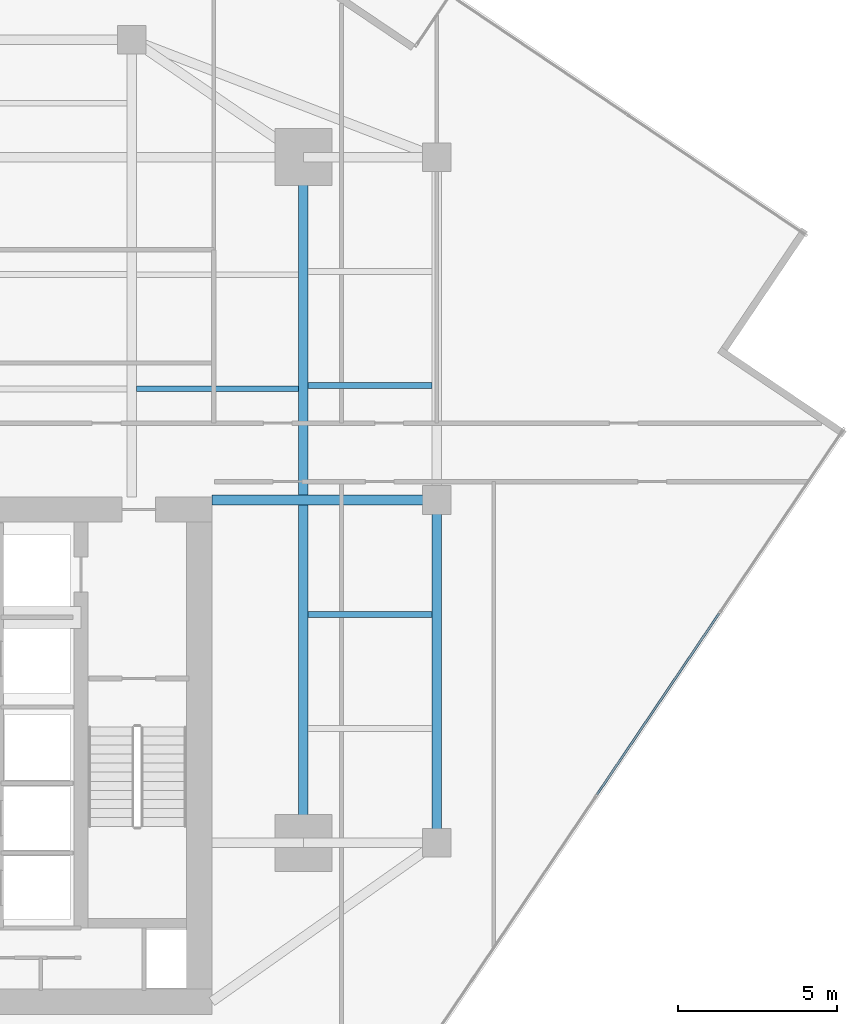
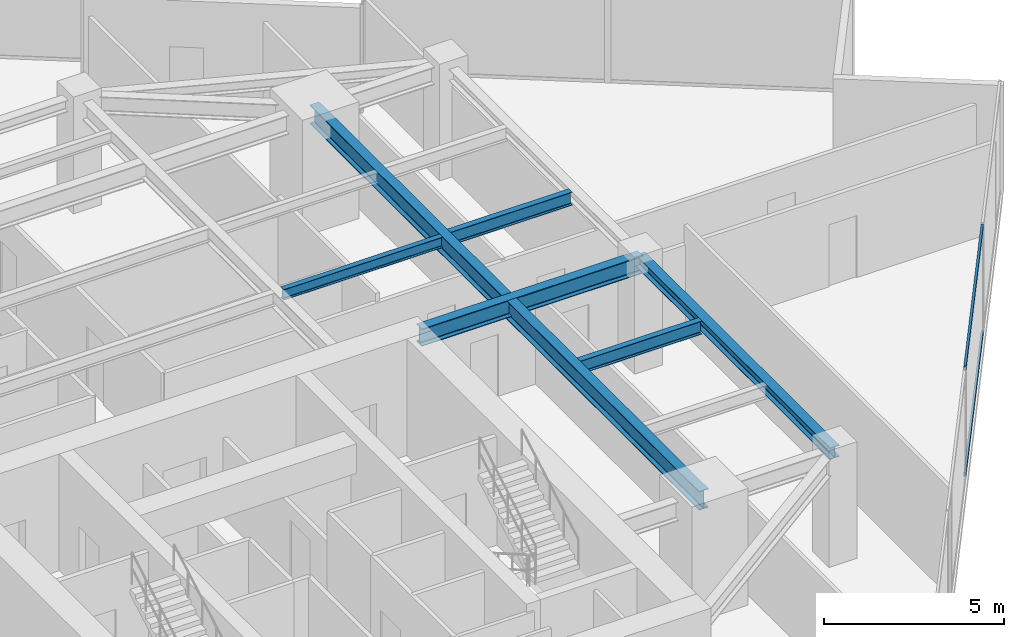
# One storey, part 11 of 27: 6 beams, 2 members, 1 element without a shape of its own.
"""IFC4 building model written with IfcOpenShell, lengths in metres."""

from ifc_helpers import new_model, si_unit, direction, frame, origin, origin_2d, place, context, subcontext, project, spatial, hollow_rectangle, i_section, extrude, source, transform, mapped, material, material_profile, profile_set, type_object, type_shapes, element, aggregate, save


model = new_model("IFC4")

# Units and contexts
model_context = context("Model", 3, precision=1e-05, world=origin(), true_north=direction((0.0, 1.0)))
body_context = subcontext(model_context, "Body", "Model", "MODEL_VIEW")
ifc_project = project(units=[si_unit("LENGTHUNIT", "METRE"), si_unit("AREAUNIT", "SQUARE_METRE"), si_unit("VOLUMEUNIT", "CUBIC_METRE"), si_unit("PLANEANGLEUNIT", "RADIAN"), si_unit("MASSUNIT", "GRAM", prefix="KILO")], contexts=[model_context])

# Site, building, storey
site_placement = place(None, origin())
site = spatial("IfcSite", under=ifc_project, at=site_placement, CompositionType="ELEMENT")
building_placement = place(site_placement, origin())
building = spatial("IfcBuilding", under=site, at=building_placement, Name="Krantzveldt Concourse Tower", CompositionType="ELEMENT")
storey_placement = place(building_placement, frame((0.0, 0.0, 189.64990234375)))
storey = spatial("IfcBuildingStorey", under=building, at=storey_placement, Name="L46", CompositionType="ELEMENT", Elevation=189.64990234375)

# Beams
ifc_material_1 = material(Name="Steel S355JR", Category="steel")
ifc_material_profile_1 = material_profile(ifc_material_1, i_section(OverallWidth=0.300048828125, OverallDepth=0.639892578125, WebThickness=0.013427734375, FlangeThickness=0.02587890625, FilletRadius=0.027099609375, at=origin_2d()), Name="Steel S355JR", Category="steel")
ifc_profile_set_1 = profile_set([ifc_material_profile_1], Name="Steel S355JR - HEA 650")
beam_type_1 = type_object("IfcBeamType", Name="BM-B-HEA650", PredefinedType="BEAM", material=ifc_profile_set_1)
shared_shape_1 = source(origin(), body_context, "Body", "SweptSolid", [
    extrude(i_section(OverallWidth=0.300048828125, OverallDepth=0.639892578125, WebThickness=0.013427734375, FlangeThickness=0.02587890625, FilletRadius=0.027099609375, at=origin_2d()), origin(), (0.0, 0.0, 1.0), 21.60009765625),
])
type_shapes(beam_type_1, [shared_shape_1])
beam_1_placement = place(storey_placement, frame((46.800048828125, 15.89990234375, 3.35009765625), z_axis=(0.0, 1.0, 0.0), x_axis=(-1.0, 0.0, 0.0)))
element("IfcBeam", 1, at=beam_1_placement, inside=storey, type_object=beam_type_1, Name="L46 Tower Girder BG-ME", PredefinedType="BEAM", context=body_context, shape_type="MappedRepresentation", body=[
    mapped(shared_shape_1, transform((0.0, 0.0, 0.0), x_axis=(1.0, 0.0, 0.0), y_axis=(0.0, 1.0, 0.0), z_axis=(0.0, 0.0, 1.0), scale=1.0)),
])
ifc_material_profile_2 = material_profile(ifc_material_1, i_section(OverallWidth=0.300048828125, OverallDepth=0.590087890625, WebThickness=0.012939453125, FlangeThickness=0.02490234375, FilletRadius=0.027099609375, at=origin_2d()), Name="Steel S355JR", Category="steel")
ifc_profile_set_2 = profile_set([ifc_material_profile_2], Name="Steel S355JR - HEA 600")
beam_type_2 = type_object("IfcBeamType", Name="BM-B-HEA600", PredefinedType="BEAM", material=ifc_profile_set_2)
shared_shape_2 = source(origin(), body_context, "Body", "SweptSolid", [
    extrude(i_section(OverallWidth=0.300048828125, OverallDepth=0.590087890625, WebThickness=0.012939453125, FlangeThickness=0.02490234375, FilletRadius=0.027099609375, at=origin_2d()), origin(), (0.0, 0.0, 1.0), 7.080078125),
])
type_shapes(beam_type_2, [shared_shape_2])
beam_2_placement = place(storey_placement, frame((43.919921875, 26.699951171875, 3.375), z_axis=(1.0, 0.0, 0.0), x_axis=(0.0, 1.0, 0.0)))
element("IfcBeam", 2, at=beam_2_placement, inside=storey, type_object=beam_type_2, Name="L46 Tower Girder BG-CE2", PredefinedType="BEAM", context=body_context, shape_type="MappedRepresentation", body=[
    mapped(shared_shape_2, transform((0.0, 0.0, 0.0), x_axis=(1.0, 0.0, 0.0), y_axis=(0.0, 1.0, 0.0), z_axis=(0.0, 0.0, 1.0), scale=1.0)),
])
ifc_material_profile_3 = material_profile(ifc_material_1, i_section(OverallWidth=0.300048828125, OverallDepth=0.389892578125, WebThickness=0.010986328125, FlangeThickness=0.01904296875, FilletRadius=0.027099609375, at=origin_2d()), Name="Steel S355JR", Category="steel")
ifc_profile_set_3 = profile_set([ifc_material_profile_3], Name="Steel S355JR - HEA 400")
beam_type_3 = type_object("IfcBeamType", Name="BM-SP-HEA400", PredefinedType="SPANDREL", material=ifc_profile_set_3)
shared_shape_3 = source(origin(), body_context, "Body", "SweptSolid", [
    extrude(i_section(OverallWidth=0.300048828125, OverallDepth=0.389892578125, WebThickness=0.010986328125, FlangeThickness=0.01904296875, FilletRadius=0.027099609375, at=origin_2d()), origin(), (0.0, 0.0, 1.0), 10.800048828125),
])
type_shapes(beam_type_3, [shared_shape_3])
beam_3_placement = place(storey_placement, frame((51.0, 26.699951171875, 3.47509765625), z_axis=(0.0, -1.0, 0.0), x_axis=(1.0, 0.0, 0.0)))
element("IfcBeam", 3, at=beam_3_placement, inside=storey, type_object=beam_type_3, Name="L46 Tower Girder SP-R07", PredefinedType="SPANDREL", context=body_context, shape_type="MappedRepresentation", body=[
    mapped(shared_shape_3, transform((0.0, 0.0, 0.0), x_axis=(1.0, 0.0, 0.0), y_axis=(0.0, 1.0, 0.0), z_axis=(0.0, 0.0, 1.0), scale=1.0)),
])
ifc_material_profile_4 = material_profile(ifc_material_1, i_section(OverallWidth=0.169921875, OverallDepth=0.360107421875, WebThickness=0.008056640625, FlangeThickness=0.0126953125, FilletRadius=0.01806640625, at=origin_2d()), Name="Steel S355JR", Category="steel")
ifc_profile_set_4 = profile_set([ifc_material_profile_4], Name="Steel S355JR - IPE 360")
beam_type_4 = type_object("IfcBeamType", Name="BM-J-IPE360", PredefinedType="JOIST", material=ifc_profile_set_4)
shared_shape_4 = source(origin(), body_context, "Body", "SweptSolid", [
    extrude(i_section(OverallWidth=0.169921875, OverallDepth=0.360107421875, WebThickness=0.008056640625, FlangeThickness=0.0126953125, FilletRadius=0.01806640625, at=origin_2d()), origin(), (0.0, 0.0, 1.0), 5.099853515625),
])
type_shapes(beam_type_4, [shared_shape_4])
beam_4_placement = place(storey_placement, frame((41.550048828125, 30.199951171875, 3.489990234375), z_axis=(1.0, 0.0, 0.0), x_axis=(0.0, 1.0, 0.0)))
element("IfcBeam", 4, at=beam_4_placement, inside=storey, type_object=beam_type_4, Name="L46 Secondary Floor Joist JN-E1", PredefinedType="JOIST", context=body_context, shape_type="MappedRepresentation", body=[
    mapped(shared_shape_4, transform((0.0, 0.0, 0.0), x_axis=(1.0, 0.0, 0.0), y_axis=(0.0, 1.0, 0.0), z_axis=(0.0, 0.0, 1.0), scale=1.0)),
])
ifc_material_profile_5 = material_profile(ifc_material_1, i_section(OverallWidth=0.18994140625, OverallDepth=0.449951171875, WebThickness=0.009521484375, FlangeThickness=0.0146484375, FilletRadius=0.02099609375, at=origin_2d()), Name="Steel S355JR", Category="steel")
ifc_profile_set_5 = profile_set([ifc_material_profile_5], Name="Steel S355JR - IPE 450")
beam_type_5 = type_object("IfcBeamType", Name="BM-J-IPE450", PredefinedType="JOIST", material=ifc_profile_set_5)
shared_shape_5 = source(origin(), body_context, "Body", "SweptSolid", [
    extrude(i_section(OverallWidth=0.18994140625, OverallDepth=0.449951171875, WebThickness=0.009521484375, FlangeThickness=0.0146484375, FilletRadius=0.02099609375, at=origin_2d()), origin(), (0.0, 0.0, 1.0), 3.900146484375),
])
type_shapes(beam_type_5, [shared_shape_5])
for number, where, z_axis, x_axis, name in (
    (5, (46.949951171875, 23.10009765625, 3.445068359375), (1.0, 0.0, 0.0), (0.0, 1.0, 0.0), "L46 Secondary Floor Joist JE-2"),
    (6, (46.949951171875, 30.300048828125, 3.445068359375), (1.0, 0.0, 0.0), (0.0, 1.0, 0.0), "L46 Secondary Floor Joist JE-3"),
):
    element("IfcBeam", number, at=place(storey_placement, frame(where, z_axis=z_axis, x_axis=x_axis)), inside=storey, type_object=beam_type_5, Name=name, PredefinedType="JOIST", context=body_context, shape_type="MappedRepresentation", body=[
        mapped(shared_shape_5, transform((0.0, 0.0, 0.0), x_axis=(1.0, 0.0, 0.0), y_axis=(0.0, 1.0, 0.0), z_axis=(0.0, 0.0, 1.0), scale=1.0)),
    ])

# Curtain wall, members
ifc_material_2 = material(Name="Anodised aluminium 6063-T6", Category="aluminium")
curtain_wall_type = type_object("IfcCurtainWallType", Name="CW3", PredefinedType="USERDEFINED", material=ifc_material_2)
curtain_wall_placement = place(storey_placement, origin())
curtain_wall = element("IfcCurtainWall", 7, at=curtain_wall_placement, inside=storey, type_object=curtain_wall_type, Name="CW-L46-F07", ObjectType="UNITISED CURTAIN WALL", PredefinedType="USERDEFINED")
ifc_material_profile_6 = material_profile(ifc_material_2, hollow_rectangle(XDim=0.070068359375, YDim=0.139892578125, WallThickness=0.0048828125, at=origin_2d()), Name="Anodised aluminium 6063-T6", Category="aluminium")
ifc_profile_set_6 = profile_set([ifc_material_profile_6], Name="Anodised aluminium 6063-T6 - ALU-TRAN 140x70x5")
member_type = type_object("IfcMemberType", Name="CW-TRN-150", PredefinedType="USERDEFINED", material=ifc_profile_set_6)
shared_shape_6 = source(origin(), body_context, "Body", "SweptSolid", [
    extrude(hollow_rectangle(XDim=0.070068359375, YDim=0.139892578125, WallThickness=0.0048828125, at=origin_2d()), origin(), (0.0, 0.0, 1.0), 6.89013671875),
])
type_shapes(member_type, [shared_shape_6])
member_1_placement = place(storey_placement, frame((56.046875, 17.41796875, 0.03515625), z_axis=(0.559181316648, 0.829045387848, 0.0), x_axis=(-0.829045387848, 0.559181316648, 0.0)))
member_1 = element("IfcMember", 8, at=member_1_placement, type_object=member_type, Name="CW-Z34 transom 4.1", ObjectType="TRANSOM", PredefinedType="USERDEFINED", context=body_context, shape_type="MappedRepresentation", body=[
    mapped(shared_shape_6, transform((0.0, 0.0, 0.0), x_axis=(1.0, 0.0, 0.0), y_axis=(0.0, 1.0, 0.0), z_axis=(0.0, 0.0, 1.0), scale=1.0)),
])
member_2_placement = place(storey_placement, frame((56.046875, 17.41796875, 3.635009765625), z_axis=(0.559181316648, 0.829045387848, 0.0), x_axis=(-0.829045387848, 0.559181316648, 0.0)))
member_2 = element("IfcMember", 9, at=member_2_placement, type_object=member_type, Name="CW-Z34 transom 4.2", ObjectType="TRANSOM", PredefinedType="USERDEFINED", context=body_context, shape_type="MappedRepresentation", body=[
    mapped(shared_shape_6, transform((0.0, 0.0, 0.0), x_axis=(1.0, 0.0, 0.0), y_axis=(0.0, 1.0, 0.0), z_axis=(0.0, 0.0, 1.0), scale=1.0)),
])
aggregate(curtain_wall, [member_1, member_2])

save(model, "model.ifc")
